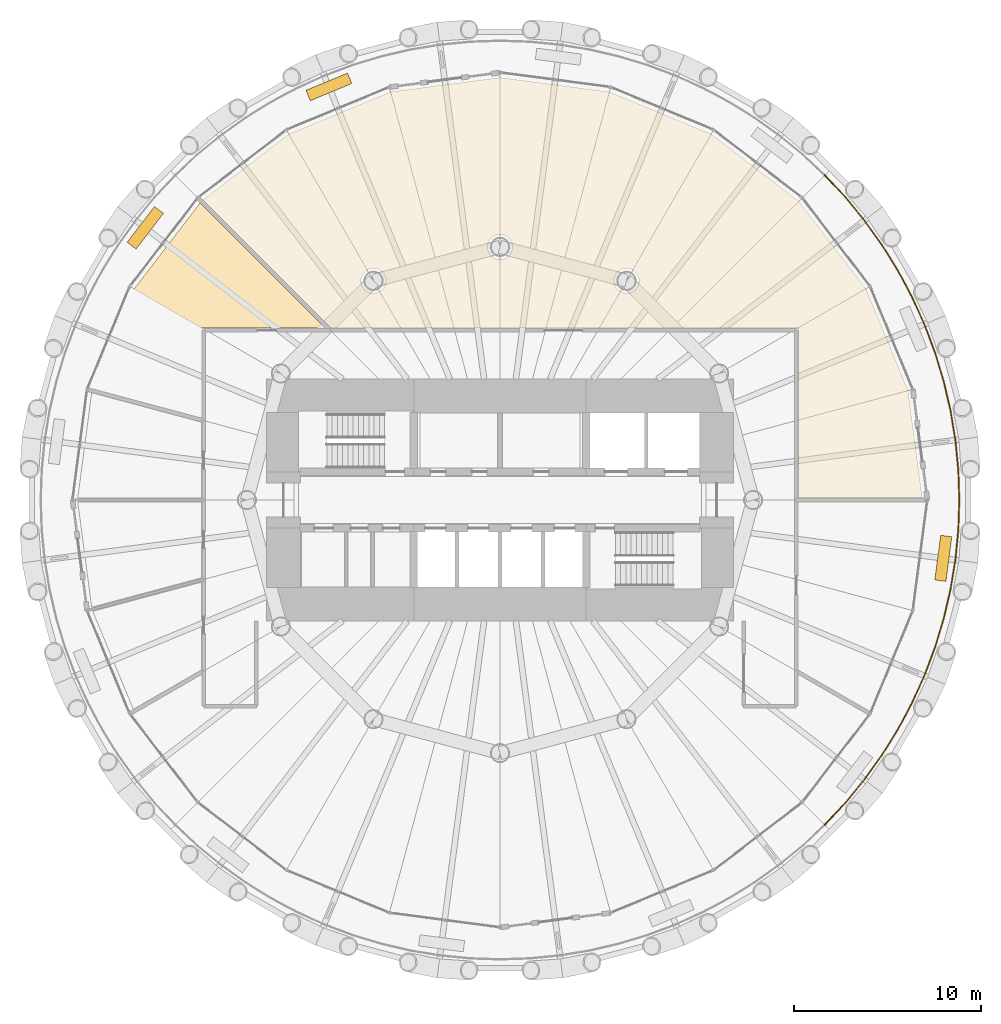
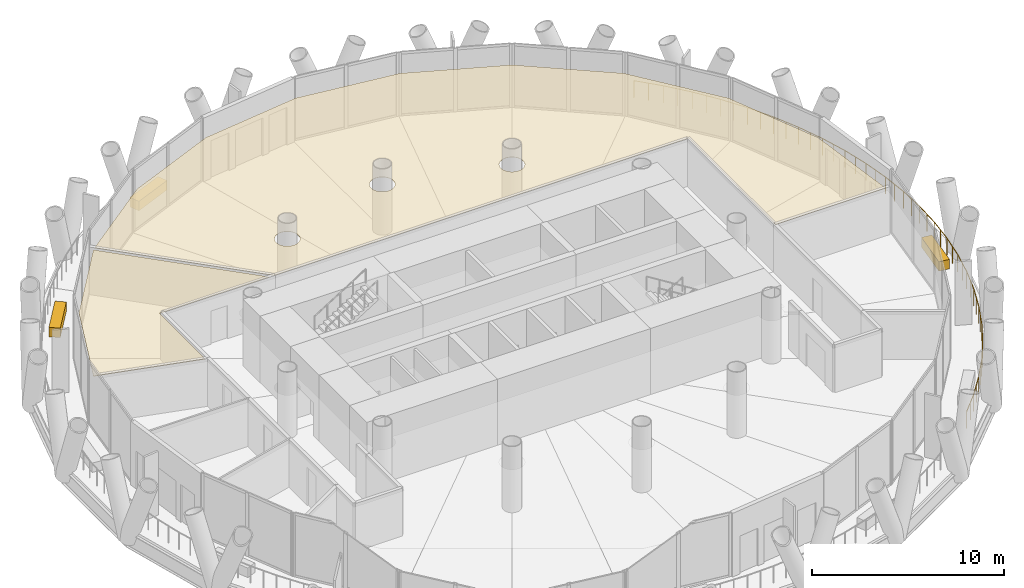
# One storey, part 13 of 14: 5 coverings, 1 railing.
"""IFC4 building model written with IfcOpenShell, lengths in metres."""

from ifc_helpers import new_model, si_unit, direction, frame, origin, origin_2d, place, context, subcontext, project, spatial, polyline, rectangle, circle, outline, extrude, material, layer, layer_set, type_object, element, save


model = new_model("IFC4")

# Units and contexts
model_context = context("Model", 3, precision=1e-05, world=origin(), true_north=direction((0.0, 1.0)))
body_context = subcontext(model_context, "Body", "Model", "MODEL_VIEW")
ifc_project = project(units=[si_unit("LENGTHUNIT", "METRE"), si_unit("AREAUNIT", "SQUARE_METRE"), si_unit("VOLUMEUNIT", "CUBIC_METRE"), si_unit("PLANEANGLEUNIT", "RADIAN"), si_unit("MASSUNIT", "GRAM", prefix="KILO")], contexts=[model_context])

# Site, building, storey
site_placement = place(None, origin())
site = spatial("IfcSite", under=ifc_project, at=site_placement, CompositionType="ELEMENT")
building_placement = place(site_placement, origin())
building = spatial("IfcBuilding", under=site, at=building_placement, Name="Qaws Media Tower", CompositionType="ELEMENT")
storey_placement = place(building_placement, frame((0.0, 0.0, 118.39990234375)))
storey = spatial("IfcBuildingStorey", under=building, at=storey_placement, Name="L26", CompositionType="ELEMENT", Elevation=118.39990234375)

# Covering
ifc_material_1 = material(Name="40 perforated acoustic panels with mineral wool backing, suspended", Category="mineral fibre")
ifc_layer_1 = layer(ifc_material_1, 0.0400390625)
ifc_layer_set_1 = layer_set([ifc_layer_1], Name="Acoustic panel ceiling 40")
covering_type_1 = type_object("IfcCoveringType", Name="Acoustic panel ceiling 40", PredefinedType="CEILING", material=ifc_layer_set_1)
covering_1_placement = place(storey_placement, frame((0.0, 0.0, 2.85009765625)))
element("IfcCovering", 1, at=covering_1_placement, inside=storey, type_object=covering_type_1, Name="CL3 ceiling L26-03 Client meeting room", PredefinedType="CEILING", context=body_context, shape_type="SweptSolid", body=[
    extrude(outline(polyline([(40.48388671875, 61.267578125), (43.99609375, 65.8447265625), (50.678466796875, 59.16259765625), (44.08740234375, 59.16259765625), (44.08740234375, 54.380126953125), (38.276123046875, 55.9375), (40.48388671875, 61.267578125)])), origin(), (0.0, 0.0, 1.0), 0.0400390625),
])

# Railing
ifc_material_2 = material(Name="Stainless steel and glass guard", Category="steel")
railing_type = type_object("IfcRailingType", Name="Balcony guard 1100", PredefinedType="GUARDRAIL", material=ifc_material_2)
railing_placement = place(storey_placement, frame((77.32421875, 32.67578125, 0.0)))
element("IfcRailing", 2, at=railing_placement, inside=storey, type_object=railing_type, Name="GR1 balcony guard L26-4", PredefinedType="GUARDRAIL", context=body_context, shape_type="SweptSolid", body=[
    extrude(circle(Radius=0.02392578125, at=origin_2d()), frame((0.0, 0.0, 1.076171875), z_axis=(0.683581400889, 0.729874282571, 0.0), x_axis=(-0.729874282571, 0.683581400889, 0.0)), (0.0, 0.0, 1.0), 1.603271484375),
    extrude(circle(Radius=0.02392578125, at=origin_2d()), frame((1.095947265625, 1.170166015625, 1.076171875), z_axis=(0.634339944874, 0.773054224707, 0.0), x_axis=(-0.773054224707, 0.634339944874, 0.0)), (0.0, 0.0, 1.0), 1.603271484375),
    extrude(circle(Radius=0.02392578125, at=origin_2d()), frame((2.113037109375, 2.40966796875, 1.076171875), z_axis=(0.582534034023, 0.812806311002, 0.0), x_axis=(-0.812806311002, 0.582534034023, 0.0)), (0.0, 0.0, 1.0), 1.60302734375),
    extrude(circle(Radius=0.02392578125, at=origin_2d()), frame((3.046875, 3.712646484375, 1.076171875), z_axis=(0.527957869679, 0.849270562215, 0.0), x_axis=(-0.849270562215, 0.527957869679, 0.0)), (0.0, 0.0, 1.0), 1.603271484375),
    extrude(circle(Radius=0.02392578125, at=origin_2d()), frame((3.893310546875, 5.07421875, 1.076171875), z_axis=(0.471473251733, 0.881880362011, 0.0), x_axis=(-0.881880362011, 0.471473251733, 0.0)), (0.0, 0.0, 1.0), 1.603271484375),
    extrude(circle(Radius=0.02392578125, at=origin_2d()), frame((4.649169921875, 6.488037109375, 1.076171875), z_axis=(0.412655365799, 0.910887231812, 0.0), x_axis=(-0.910887231812, 0.412655365799, 0.0)), (0.0, 0.0, 1.0), 1.603271484375),
    extrude(circle(Radius=0.02392578125, at=origin_2d()), frame((5.310791015625, 7.948486328125, 1.076171875), z_axis=(0.352224624201, 0.935915495174, 0.0), x_axis=(-0.935915495174, 0.352224624201, 0.0)), (0.0, 0.0, 1.0), 1.603271484375),
    extrude(circle(Radius=0.02392578125, at=origin_2d()), frame((5.87548828125, 9.448974609375, 1.076171875), z_axis=(0.290391970189, 0.956907782208, 0.0), x_axis=(-0.956907782208, 0.290391970189, 0.0)), (0.0, 0.0, 1.0), 1.603271484375),
    extrude(circle(Radius=0.02392578125, at=origin_2d()), frame((6.341064453125, 10.983154296875, 1.076171875), z_axis=(0.227061116742, 0.973880510773, 0.0), x_axis=(-0.973880510773, 0.227061116742, 0.0)), (0.0, 0.0, 1.0), 1.603271484375),
    extrude(circle(Radius=0.02392578125, at=origin_2d()), frame((6.705078125, 12.54443359375, 1.076171875), z_axis=(0.162793594249, 0.986660146997, 0.0), x_axis=(-0.986660146997, 0.162793594249, 0.0)), (0.0, 0.0, 1.0), 1.603271484375),
    extrude(circle(Radius=0.02392578125, at=origin_2d()), frame((6.966064453125, 14.126220703125, 1.076171875), z_axis=(0.098056376194, 0.995180861496, 0.0), x_axis=(-0.995180861496, 0.098056376194, 0.0)), (0.0, 0.0, 1.0), 1.603515625),
    extrude(circle(Radius=0.02392578125, at=origin_2d()), frame((7.123291015625, 15.721923828125, 1.076171875), z_axis=(0.03274184459, 0.999463842074, 0.0), x_axis=(-0.999463842074, 0.03274184459, 0.0)), (0.0, 0.0, 1.0), 1.603271484375),
    extrude(circle(Radius=0.02392578125, at=origin_2d()), frame((7.17578125, 17.32421875, 1.076171875), z_axis=(-0.03274184459, 0.999463842074, 0.0), x_axis=(-0.999463842074, -0.03274184459, 0.0)), (0.0, 0.0, 1.0), 1.603271484375),
    extrude(circle(Radius=0.02392578125, at=origin_2d()), frame((7.123291015625, 18.926513671875, 1.076171875), z_axis=(-0.098056376194, 0.995180861496, 0.0), x_axis=(-0.995180861496, -0.098056376194, 0.0)), (0.0, 0.0, 1.0), 1.603515625),
    extrude(circle(Radius=0.02392578125, at=origin_2d()), frame((6.966064453125, 20.522216796875, 1.076171875), z_axis=(-0.162793594249, 0.986660146997, 0.0), x_axis=(-0.986660146997, -0.162793594249, 0.0)), (0.0, 0.0, 1.0), 1.603271484375),
    extrude(circle(Radius=0.02392578125, at=origin_2d()), frame((6.705078125, 22.10400390625, 1.076171875), z_axis=(-0.227061116742, 0.973880510773, 0.0), x_axis=(-0.973880510773, -0.227061116742, 0.0)), (0.0, 0.0, 1.0), 1.603271484375),
    extrude(circle(Radius=0.02392578125, at=origin_2d()), frame((6.341064453125, 23.665283203125, 1.076171875), z_axis=(-0.290391970189, 0.956907782208, 0.0), x_axis=(-0.956907782208, -0.290391970189, 0.0)), (0.0, 0.0, 1.0), 1.603271484375),
    extrude(circle(Radius=0.02392578125, at=origin_2d()), frame((5.87548828125, 25.199462890625, 1.076171875), z_axis=(-0.352224624201, 0.935915495174, 0.0), x_axis=(-0.935915495174, -0.352224624201, 0.0)), (0.0, 0.0, 1.0), 1.603271484375),
    extrude(circle(Radius=0.02392578125, at=origin_2d()), frame((5.310791015625, 26.699951171875, 1.076171875), z_axis=(-0.412655365799, 0.910887231812, 0.0), x_axis=(-0.910887231812, -0.412655365799, 0.0)), (0.0, 0.0, 1.0), 1.603271484375),
    extrude(circle(Radius=0.02392578125, at=origin_2d()), frame((4.649169921875, 28.160400390625, 1.076171875), z_axis=(-0.471473251733, 0.881880362011, 0.0), x_axis=(-0.881880362011, -0.471473251733, 0.0)), (0.0, 0.0, 1.0), 1.603271484375),
    extrude(circle(Radius=0.02392578125, at=origin_2d()), frame((3.893310546875, 29.57421875, 1.076171875), z_axis=(-0.527957869679, 0.849270562215, 0.0), x_axis=(-0.849270562215, -0.527957869679, 0.0)), (0.0, 0.0, 1.0), 1.603271484375),
    extrude(circle(Radius=0.02392578125, at=origin_2d()), frame((3.046875, 30.935791015625, 1.076171875), z_axis=(-0.582534034023, 0.812806311002, 0.0), x_axis=(-0.812806311002, -0.582534034023, 0.0)), (0.0, 0.0, 1.0), 1.60302734375),
    extrude(circle(Radius=0.02392578125, at=origin_2d()), frame((2.113037109375, 32.23876953125, 1.076171875), z_axis=(-0.634339944874, 0.773054224707, 0.0), x_axis=(-0.773054224707, -0.634339944874, 0.0)), (0.0, 0.0, 1.0), 1.603271484375),
    extrude(circle(Radius=0.02392578125, at=origin_2d()), frame((1.095947265625, 33.478271484375, 1.076171875), z_axis=(-0.683581400889, 0.729874282571, 0.0), x_axis=(-0.729874282571, -0.683581400889, 0.0)), (0.0, 0.0, 1.0), 1.603271484375),
    extrude(circle(Radius=0.02099609375, at=origin_2d()), origin(), (0.0, 0.0, 1.0), 1.052001953125),
    extrude(circle(Radius=0.02099609375, at=origin_2d()), frame((0.5478515625, 0.5849609375, 0.0)), (0.0, 0.0, 1.0), 1.052001953125),
    extrude(circle(Radius=0.02099609375, at=origin_2d()), frame((1.095947265625, 1.170166015625, 0.0)), (0.0, 0.0, 1.0), 1.052001953125),
    extrude(circle(Radius=0.02099609375, at=origin_2d()), frame((1.6044921875, 1.7900390625, 0.0)), (0.0, 0.0, 1.0), 1.052001953125),
    extrude(circle(Radius=0.02099609375, at=origin_2d()), frame((2.113037109375, 2.40966796875, 0.0)), (0.0, 0.0, 1.0), 1.052001953125),
    extrude(circle(Radius=0.02099609375, at=origin_2d()), frame((2.580078125, 3.06103515625, 0.0)), (0.0, 0.0, 1.0), 1.052001953125),
    extrude(circle(Radius=0.02099609375, at=origin_2d()), frame((3.046875, 3.712646484375, 0.0)), (0.0, 0.0, 1.0), 1.052001953125),
    extrude(circle(Radius=0.02099609375, at=origin_2d()), frame((3.47021484375, 4.3935546875, 0.0)), (0.0, 0.0, 1.0), 1.052001953125),
    extrude(circle(Radius=0.02099609375, at=origin_2d()), frame((3.893310546875, 5.07421875, 0.0)), (0.0, 0.0, 1.0), 1.052001953125),
    extrude(circle(Radius=0.02099609375, at=origin_2d()), frame((4.271240234375, 5.78125, 0.0)), (0.0, 0.0, 1.0), 1.052001953125),
    extrude(circle(Radius=0.02099609375, at=origin_2d()), frame((4.649169921875, 6.488037109375, 0.0)), (0.0, 0.0, 1.0), 1.052001953125),
    extrude(circle(Radius=0.02099609375, at=origin_2d()), frame((4.97998046875, 7.21826171875, 0.0)), (0.0, 0.0, 1.0), 1.052001953125),
    extrude(circle(Radius=0.02099609375, at=origin_2d()), frame((5.310791015625, 7.948486328125, 0.0)), (0.0, 0.0, 1.0), 1.052001953125),
    extrude(circle(Radius=0.02099609375, at=origin_2d()), frame((5.59326171875, 8.69873046875, 0.0)), (0.0, 0.0, 1.0), 1.052001953125),
    extrude(circle(Radius=0.02099609375, at=origin_2d()), frame((5.87548828125, 9.448974609375, 0.0)), (0.0, 0.0, 1.0), 1.052001953125),
    extrude(circle(Radius=0.02099609375, at=origin_2d()), frame((6.1083984375, 10.216064453125, 0.0)), (0.0, 0.0, 1.0), 1.052001953125),
    extrude(circle(Radius=0.02099609375, at=origin_2d()), frame((6.341064453125, 10.983154296875, 0.0)), (0.0, 0.0, 1.0), 1.052001953125),
    extrude(circle(Radius=0.02099609375, at=origin_2d()), frame((6.52294921875, 11.763671875, 0.0)), (0.0, 0.0, 1.0), 1.052001953125),
    extrude(circle(Radius=0.02099609375, at=origin_2d()), frame((6.705078125, 12.54443359375, 0.0)), (0.0, 0.0, 1.0), 1.052001953125),
    extrude(circle(Radius=0.02099609375, at=origin_2d()), frame((6.83544921875, 13.33544921875, 0.0)), (0.0, 0.0, 1.0), 1.052001953125),
    extrude(circle(Radius=0.02099609375, at=origin_2d()), frame((6.966064453125, 14.126220703125, 0.0)), (0.0, 0.0, 1.0), 1.052001953125),
    extrude(circle(Radius=0.02099609375, at=origin_2d()), frame((7.044677734375, 14.924072265625, 0.0)), (0.0, 0.0, 1.0), 1.052001953125),
    extrude(circle(Radius=0.02099609375, at=origin_2d()), frame((7.123291015625, 15.721923828125, 0.0)), (0.0, 0.0, 1.0), 1.052001953125),
    extrude(circle(Radius=0.02099609375, at=origin_2d()), frame((7.1494140625, 16.52294921875, 0.0)), (0.0, 0.0, 1.0), 1.052001953125),
    extrude(circle(Radius=0.02099609375, at=origin_2d()), frame((7.17578125, 17.32421875, 0.0)), (0.0, 0.0, 1.0), 1.052001953125),
    extrude(circle(Radius=0.02099609375, at=origin_2d()), frame((7.1494140625, 18.12548828125, 0.0)), (0.0, 0.0, 1.0), 1.052001953125),
    extrude(circle(Radius=0.02099609375, at=origin_2d()), frame((7.123291015625, 18.926513671875, 0.0)), (0.0, 0.0, 1.0), 1.052001953125),
    extrude(circle(Radius=0.02099609375, at=origin_2d()), frame((7.044677734375, 19.724365234375, 0.0)), (0.0, 0.0, 1.0), 1.052001953125),
    extrude(circle(Radius=0.02099609375, at=origin_2d()), frame((6.966064453125, 20.522216796875, 0.0)), (0.0, 0.0, 1.0), 1.052001953125),
    extrude(circle(Radius=0.02099609375, at=origin_2d()), frame((6.83544921875, 21.31298828125, 0.0)), (0.0, 0.0, 1.0), 1.052001953125),
    extrude(circle(Radius=0.02099609375, at=origin_2d()), frame((6.705078125, 22.10400390625, 0.0)), (0.0, 0.0, 1.0), 1.052001953125),
    extrude(circle(Radius=0.02099609375, at=origin_2d()), frame((6.52294921875, 22.884765625, 0.0)), (0.0, 0.0, 1.0), 1.052001953125),
    extrude(circle(Radius=0.02099609375, at=origin_2d()), frame((6.341064453125, 23.665283203125, 0.0)), (0.0, 0.0, 1.0), 1.052001953125),
    extrude(circle(Radius=0.02099609375, at=origin_2d()), frame((6.1083984375, 24.432373046875, 0.0)), (0.0, 0.0, 1.0), 1.052001953125),
    extrude(circle(Radius=0.02099609375, at=origin_2d()), frame((5.87548828125, 25.199462890625, 0.0)), (0.0, 0.0, 1.0), 1.052001953125),
    extrude(circle(Radius=0.02099609375, at=origin_2d()), frame((5.59326171875, 25.94970703125, 0.0)), (0.0, 0.0, 1.0), 1.052001953125),
    extrude(circle(Radius=0.02099609375, at=origin_2d()), frame((5.310791015625, 26.699951171875, 0.0)), (0.0, 0.0, 1.0), 1.052001953125),
    extrude(circle(Radius=0.02099609375, at=origin_2d()), frame((4.97998046875, 27.43017578125, 0.0)), (0.0, 0.0, 1.0), 1.052001953125),
    extrude(circle(Radius=0.02099609375, at=origin_2d()), frame((4.649169921875, 28.160400390625, 0.0)), (0.0, 0.0, 1.0), 1.052001953125),
    extrude(circle(Radius=0.02099609375, at=origin_2d()), frame((4.271240234375, 28.8671875, 0.0)), (0.0, 0.0, 1.0), 1.052001953125),
    extrude(circle(Radius=0.02099609375, at=origin_2d()), frame((3.893310546875, 29.57421875, 0.0)), (0.0, 0.0, 1.0), 1.052001953125),
    extrude(circle(Radius=0.02099609375, at=origin_2d()), frame((3.47021484375, 30.2548828125, 0.0)), (0.0, 0.0, 1.0), 1.052001953125),
    extrude(circle(Radius=0.02099609375, at=origin_2d()), frame((3.046875, 30.935791015625, 0.0)), (0.0, 0.0, 1.0), 1.052001953125),
    extrude(circle(Radius=0.02099609375, at=origin_2d()), frame((2.580078125, 31.58740234375, 0.0)), (0.0, 0.0, 1.0), 1.052001953125),
    extrude(circle(Radius=0.02099609375, at=origin_2d()), frame((2.113037109375, 32.23876953125, 0.0)), (0.0, 0.0, 1.0), 1.052001953125),
    extrude(circle(Radius=0.02099609375, at=origin_2d()), frame((1.6044921875, 32.8583984375, 0.0)), (0.0, 0.0, 1.0), 1.052001953125),
    extrude(circle(Radius=0.02099609375, at=origin_2d()), frame((1.095947265625, 33.478271484375, 0.0)), (0.0, 0.0, 1.0), 1.052001953125),
    extrude(circle(Radius=0.02099609375, at=origin_2d()), frame((0.5478515625, 34.0634765625, 0.0)), (0.0, 0.0, 1.0), 1.052001953125),
    extrude(circle(Radius=0.02099609375, at=origin_2d()), frame((0.0, 34.6484375, 0.0)), (0.0, 0.0, 1.0), 1.052001953125),
])

# Coverings
ifc_material_3 = material(Name="600 x 600 mineral fibre tiles in exposed grid, suspended", Category="mineral fibre")
ifc_layer_2 = layer(ifc_material_3, 0.02001953125)
ifc_layer_set_2 = layer_set([ifc_layer_2], Name="Mineral fibre tile ceiling 20")
covering_type_2 = type_object("IfcCoveringType", Name="Mineral fibre tile ceiling 20", PredefinedType="CEILING", material=ifc_layer_set_2)
covering_2_placement = place(storey_placement, frame((0.0, 0.0, 2.85009765625)))
element("IfcCovering", 3, at=covering_2_placement, inside=storey, type_object=covering_type_2, Name="CL1 ceiling L26-02 Sales office", PredefinedType="CEILING", context=body_context, shape_type="SweptSolid", body=[
    extrude(outline(polyline([(48.732421875, 69.51611328125), (54.16748046875, 71.767333984375), (60.0, 72.53515625), (65.83251953125, 71.767333984375), (71.267578125, 69.51611328125), (75.934814453125, 65.934814453125), (79.51611328125, 61.267578125), (81.767333984375, 55.83251953125), (82.5205078125, 50.112548828125), (75.91259765625, 50.112548828125), (75.91259765625, 59.16259765625), (50.99658203125, 59.16259765625), (44.1552734375, 66.00390625), (48.732421875, 69.51611328125)]), holes=[polyline([(53.8671875, 61.435791015625), (53.895263671875, 61.5185546875), (53.912353515625, 61.604248046875), (53.91796875, 61.69140625), (53.912353515625, 61.778564453125), (53.895263671875, 61.8642578125), (53.8671875, 61.947021484375), (53.82861328125, 62.025390625), (53.780029296875, 62.097900390625), (53.722412109375, 62.163818359375), (53.65673828125, 62.22119140625), (53.583984375, 62.269775390625), (53.505615234375, 62.30859375), (53.4228515625, 62.336669921875), (53.337158203125, 62.353515625), (53.25, 62.359375), (53.162841796875, 62.353515625), (53.0771484375, 62.336669921875), (52.994384765625, 62.30859375), (52.916015625, 62.269775390625), (52.84326171875, 62.22119140625), (52.777587890625, 62.163818359375), (52.719970703125, 62.097900390625), (52.67138671875, 62.025390625), (52.6328125, 61.947021484375), (52.604736328125, 61.8642578125), (52.587646484375, 61.778564453125), (52.58203125, 61.69140625), (52.587646484375, 61.604248046875), (52.604736328125, 61.5185546875), (52.6328125, 61.435791015625), (52.67138671875, 61.357421875), (52.719970703125, 61.28466796875), (52.777587890625, 61.218994140625), (52.84326171875, 61.161376953125), (52.916015625, 61.11279296875), (52.994384765625, 61.07421875), (53.0771484375, 61.046142578125), (53.162841796875, 61.029052734375), (53.25, 61.023193359375), (53.337158203125, 61.029052734375), (53.4228515625, 61.046142578125), (53.505615234375, 61.07421875), (53.583984375, 61.11279296875), (53.65673828125, 61.161376953125), (53.722412109375, 61.218994140625), (53.780029296875, 61.28466796875), (53.82861328125, 61.357421875), (53.8671875, 61.435791015625)]), polyline([(60.6171875, 63.244384765625), (60.645263671875, 63.3271484375), (60.662353515625, 63.412841796875), (60.66796875, 63.5), (60.662353515625, 63.587158203125), (60.645263671875, 63.6728515625), (60.6171875, 63.755615234375), (60.57861328125, 63.833984375), (60.530029296875, 63.90673828125), (60.472412109375, 63.972412109375), (60.40673828125, 64.030029296875), (60.333984375, 64.07861328125), (60.255615234375, 64.1171875), (60.1728515625, 64.145263671875), (60.087158203125, 64.162353515625), (60.0, 64.16796875), (59.912841796875, 64.162353515625), (59.8271484375, 64.145263671875), (59.744384765625, 64.1171875), (59.666015625, 64.07861328125), (59.59326171875, 64.030029296875), (59.527587890625, 63.972412109375), (59.469970703125, 63.90673828125), (59.42138671875, 63.833984375), (59.3828125, 63.755615234375), (59.354736328125, 63.6728515625), (59.337646484375, 63.587158203125), (59.33203125, 63.5), (59.337646484375, 63.412841796875), (59.354736328125, 63.3271484375), (59.3828125, 63.244384765625), (59.42138671875, 63.166015625), (59.469970703125, 63.09326171875), (59.527587890625, 63.027587890625), (59.59326171875, 62.969970703125), (59.666015625, 62.92138671875), (59.744384765625, 62.8828125), (59.8271484375, 62.854736328125), (59.912841796875, 62.837646484375), (60.0, 62.83203125), (60.087158203125, 62.837646484375), (60.1728515625, 62.854736328125), (60.255615234375, 62.8828125), (60.333984375, 62.92138671875), (60.40673828125, 62.969970703125), (60.472412109375, 63.027587890625), (60.530029296875, 63.09326171875), (60.57861328125, 63.166015625), (60.6171875, 63.244384765625)]), polyline([(67.3671875, 61.435791015625), (67.395263671875, 61.5185546875), (67.412353515625, 61.604248046875), (67.41796875, 61.69140625), (67.412353515625, 61.778564453125), (67.395263671875, 61.8642578125), (67.3671875, 61.947021484375), (67.32861328125, 62.025390625), (67.280029296875, 62.097900390625), (67.222412109375, 62.163818359375), (67.15673828125, 62.22119140625), (67.083984375, 62.269775390625), (67.005615234375, 62.30859375), (66.9228515625, 62.336669921875), (66.837158203125, 62.353515625), (66.75, 62.359375), (66.662841796875, 62.353515625), (66.5771484375, 62.336669921875), (66.494384765625, 62.30859375), (66.416015625, 62.269775390625), (66.34326171875, 62.22119140625), (66.277587890625, 62.163818359375), (66.219970703125, 62.097900390625), (66.17138671875, 62.025390625), (66.1328125, 61.947021484375), (66.104736328125, 61.8642578125), (66.087646484375, 61.778564453125), (66.08203125, 61.69140625), (66.087646484375, 61.604248046875), (66.104736328125, 61.5185546875), (66.1328125, 61.435791015625), (66.17138671875, 61.357421875), (66.219970703125, 61.28466796875), (66.277587890625, 61.218994140625), (66.34326171875, 61.161376953125), (66.416015625, 61.11279296875), (66.494384765625, 61.07421875), (66.5771484375, 61.046142578125), (66.662841796875, 61.029052734375), (66.75, 61.023193359375), (66.837158203125, 61.029052734375), (66.9228515625, 61.046142578125), (67.005615234375, 61.07421875), (67.083984375, 61.11279296875), (67.15673828125, 61.161376953125), (67.222412109375, 61.218994140625), (67.280029296875, 61.28466796875), (67.32861328125, 61.357421875), (67.3671875, 61.435791015625)])]), origin(), (0.0, 0.0, 1.0), 0.02001953125),
])
ifc_material_4 = material(Name="Precast concrete planter with trailing planting", Category="concrete")
ifc_layer_3 = layer(ifc_material_4, 0.60009765625)
ifc_layer_set_3 = layer_set([ifc_layer_3], Name="Planter 2400x600")
covering_type_3 = type_object("IfcCoveringType", Name="Planter 2400x600", PredefinedType="USERDEFINED", material=ifc_layer_set_3)
for number, where, z_axis, x_axis, name in (
    (4, (50.873046875, 72.034423828125, 0.0), (0.0, 0.0, 1.0), (-0.923879532511, -0.382683432365, 0.0), "PL1 balcony planter L26-04"),
    (5, (41.07861328125, 64.51904296875, 0.0), (0.0, 0.0, 1.0), (-0.608761429009, -0.793353340291, 0.0), "PL1 balcony planter L26-05"),
    (6, (83.64599609375, 46.886962890625, 0.0), (0.0, 0.0, 1.0), (0.13052619222, 0.991444861374, 0.0), "PL1 balcony planter L26-12"),
):
    element("IfcCovering", number, at=place(storey_placement, frame(where, z_axis=z_axis, x_axis=x_axis)), inside=storey, type_object=covering_type_3, Name=name, ObjectType="PLANTER", PredefinedType="USERDEFINED", context=body_context, shape_type="SweptSolid", body=[
        extrude(rectangle(XDim=2.39990234375, YDim=0.60009765625, at=origin_2d()), origin(), (0.0, 0.0, 1.0), 0.60009765625),
    ])

save(model, "model.ifc")
